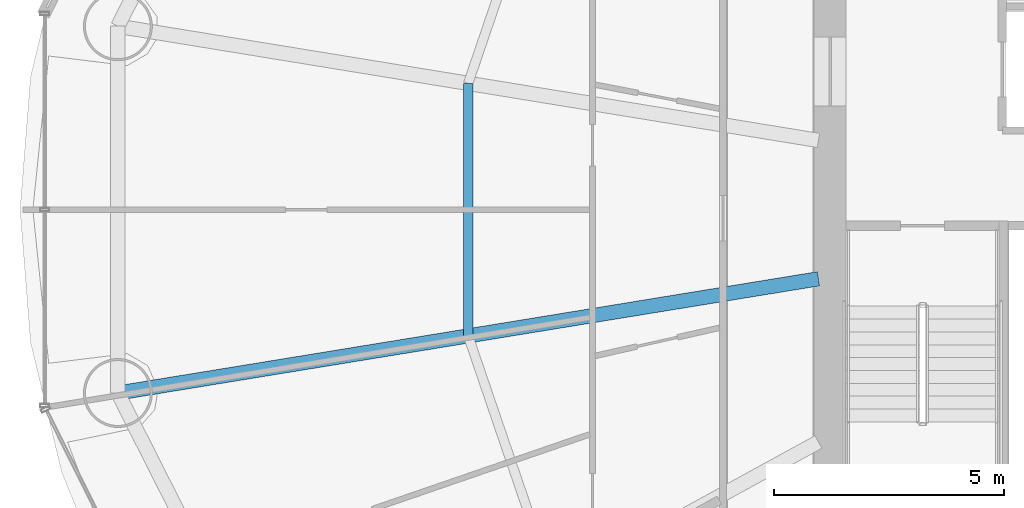
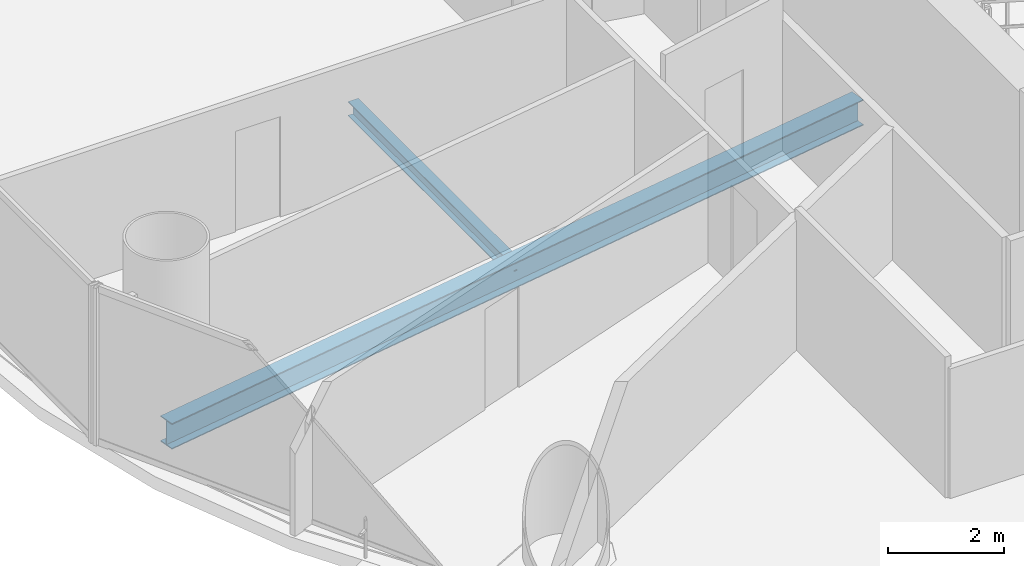
# One storey, part 7 of 28: 2 beams.
"""IFC4 building model written with IfcOpenShell, lengths in metres."""

from ifc_helpers import new_model, si_unit, direction, frame, origin, origin_2d, place, context, subcontext, project, spatial, i_section, extrude, material, material_profile, profile_set, type_object, element, save


model = new_model("IFC4")

# Units and contexts
model_context = context("Model", 3, precision=1e-05, world=origin(), true_north=direction((-0.2419218956, 0.970295726276)))
body_context = subcontext(model_context, "Body", "Model", "MODEL_VIEW")
ifc_project = project(units=[si_unit("LENGTHUNIT", "METRE"), si_unit("AREAUNIT", "SQUARE_METRE"), si_unit("VOLUMEUNIT", "CUBIC_METRE"), si_unit("PLANEANGLEUNIT", "RADIAN"), si_unit("MASSUNIT", "GRAM", prefix="KILO")], contexts=[model_context])

# Site, building, storey
site_placement = place(None, origin())
site = spatial("IfcSite", under=ifc_project, at=site_placement, CompositionType="ELEMENT")
building_placement = place(site_placement, origin())
building = spatial("IfcBuilding", under=site, at=building_placement, Name="Cobrevalo Terracotta Tower", CompositionType="ELEMENT")
storey_placement = place(building_placement, frame((0.0, 0.0, 105.0)))
storey = spatial("IfcBuildingStorey", under=building, at=storey_placement, Name="L27", CompositionType="ELEMENT", Elevation=105.0)

# Beams
ifc_material = material(Name="Steel S355", Category="steel")
ifc_material_profile_1 = material_profile(ifc_material, i_section(OverallWidth=0.31201171875, OverallDepth=0.54296875, WebThickness=0.0126953125, FlangeThickness=0.020263671875, at=origin_2d()), Name="W 530x150")
ifc_profile_set_1 = profile_set([ifc_material_profile_1], Name="Steel S355")
beam_type_1 = type_object("IfcBeamType", Name="Structural Beam W 530x150 (Steel S355)", PredefinedType="BEAM", material=ifc_profile_set_1)
beam_1_placement = place(storey_placement, frame((13.529296875, 22.810302734375, -0.54638671875), z_axis=(0.986968056587, 0.160916298977, 0.0), x_axis=(-0.160916298977, 0.986968056587, 0.0)))
element("IfcBeam", 1, at=beam_1_placement, inside=storey, type_object=beam_type_1, Name="L27 radial floor girder 09", PredefinedType="BEAM", context=body_context, shape_type="SweptSolid", body=[
    extrude(i_section(OverallWidth=0.31201171875, OverallDepth=0.54296875, WebThickness=0.0126953125, FlangeThickness=0.020263671875, at=origin_2d()), origin(), (0.0, 0.0, 1.0), 15.44189453125),
])
ifc_material_profile_2 = material_profile(ifc_material, i_section(OverallWidth=0.2041015625, OverallDepth=0.305908203125, WebThickness=0.008544921875, FlangeThickness=0.0146484375, at=origin_2d()), Name="W 310x67")
ifc_profile_set_2 = profile_set([ifc_material_profile_2], Name="Steel S355")
beam_type_2 = type_object("IfcBeamType", Name="Structural Joist W 310x67 (Steel S355)", PredefinedType="JOIST", material=ifc_profile_set_2)
beam_2_placement = place(storey_placement, frame((21.149658203125, 29.547119140625, -0.427978515625), z_axis=(0.0, -1.0, 0.0), x_axis=(1.0, 0.0, 0.0)))
element("IfcBeam", 2, at=beam_2_placement, inside=storey, type_object=beam_type_2, Name="L27 circumferential secondary floor joist 08", PredefinedType="JOIST", context=body_context, shape_type="SweptSolid", body=[
    extrude(i_section(OverallWidth=0.2041015625, OverallDepth=0.305908203125, WebThickness=0.008544921875, FlangeThickness=0.0146484375, at=origin_2d()), origin(), (0.0, 0.0, 1.0), 5.494384765625),
])

save(model, "model.ifc")
